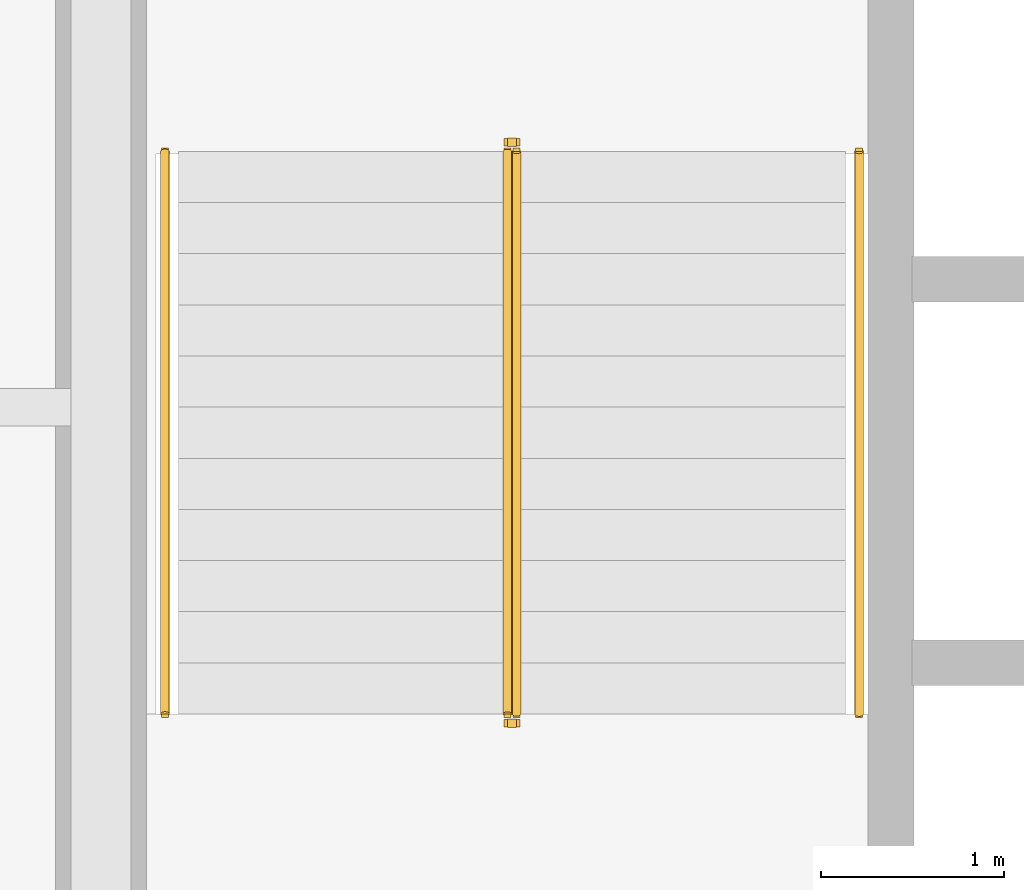
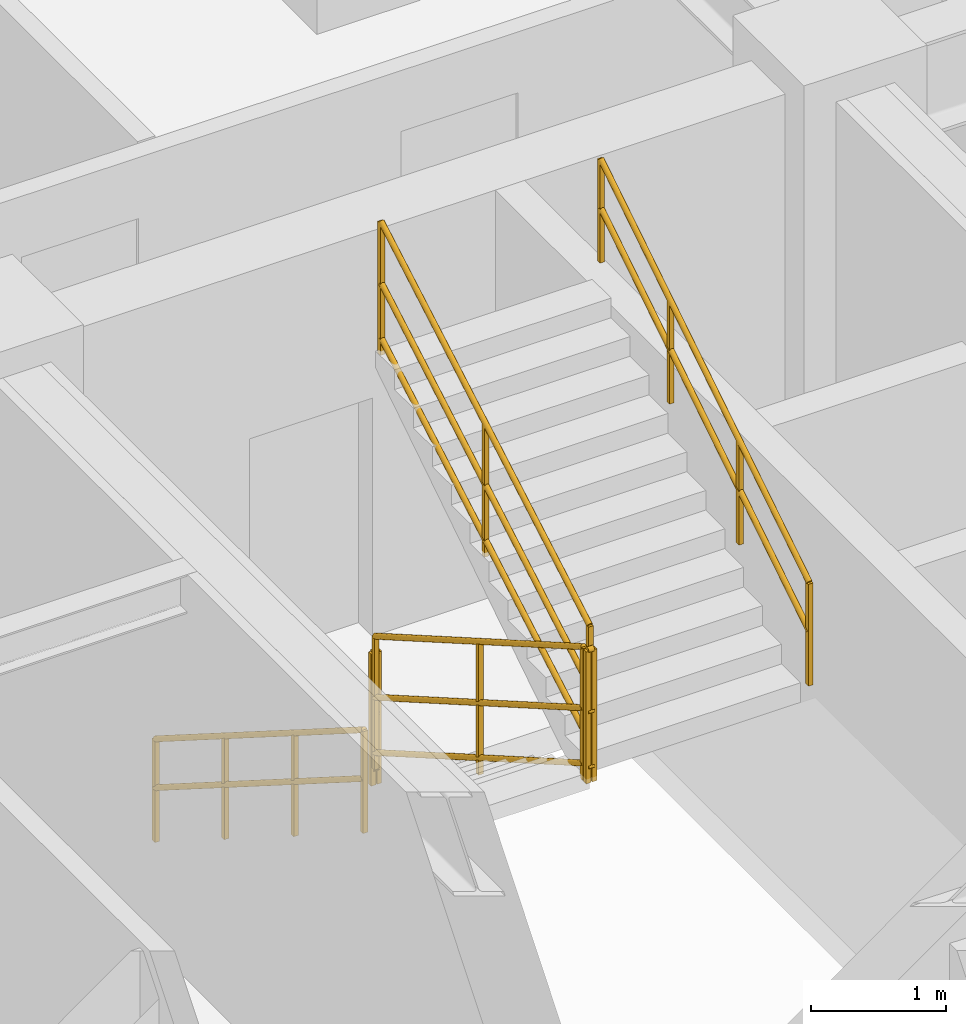
# One storey, part 10 of 10: 6 railings.
"""IFC4 building model written with IfcOpenShell, lengths in metres."""

from ifc_helpers import new_model, entity, si_unit, converted_unit, direction, frame, origin_with_axes, origin_2d_with_axis, place, context, subcontext, project, spatial, rectangle, circle, extrude, material, type_object, element, save


model = new_model("IFC4")

# Units and contexts
model_context = context("Model", 3, precision=1e-05, world=origin_with_axes(), true_north=direction((0.0, 1.0)))
body_context = subcontext(model_context, "Body", "Model", "MODEL_VIEW")
ifc_project = project(units=[si_unit("LENGTHUNIT", "METRE"), si_unit("AREAUNIT", "SQUARE_METRE"), si_unit("VOLUMEUNIT", "CUBIC_METRE"), converted_unit("PLANEANGLEUNIT", "DEGREE", entity("IfcPlaneAngleMeasure", 0.017453292519943295), si_unit("PLANEANGLEUNIT", "RADIAN"), dimensions=[0, 0, 0, 0, 0, 0, 0]), si_unit("MASSUNIT", "GRAM", prefix="KILO"), si_unit("THERMODYNAMICTEMPERATUREUNIT", "KELVIN")], contexts=[model_context])

# Site, building, storey
site_placement = place(None, origin_with_axes())
site = spatial("IfcSite", under=ifc_project, at=site_placement, CompositionType="ELEMENT")
building_placement = place(site_placement, origin_with_axes())
building = spatial("IfcBuilding", under=site, at=building_placement, Name="Varnlund Millrace Tower", CompositionType="ELEMENT")
storey_placement = place(building_placement, frame((0.0, 0.0, 156.3), z_axis=(0.0, 0.0, 1.0), x_axis=(1.0, 0.0, 0.0)))
storey = spatial("IfcBuildingStorey", under=building, at=storey_placement, Name="L38", CompositionType="ELEMENT", Elevation=156.3)

# Railings
ifc_material_1 = material(Name="Painted steel stair well balustrade guard", Category="steel")
railing_type_1 = type_object("IfcRailingType", Name="Type-StairGuard-1150", PredefinedType="GUARDRAIL", material=ifc_material_1)
railing_1_placement = place(storey_placement, frame((0.0, 0.0, -156.3), z_axis=(0.0, 0.0, 1.0), x_axis=(1.0, 0.0, 0.0)))
element("IfcRailing", 1, at=railing_1_placement, inside=storey, type_object=railing_type_1, Name="Type-StairGuard-1150", PredefinedType="GUARDRAIL", context=body_context, shape_type="SweptSolid", body=[
    extrude(circle(Radius=0.024, at=origin_2d_with_axis()), frame((13.625, 35.9, 157.627273), z_axis=(0.0, -0.866696, 0.498836), x_axis=(1.0, 0.0, 0.0)), (0.0, 0.0, 1.0), 3.553725),
    extrude(circle(Radius=0.024, at=origin_2d_with_axis()), frame((13.625, 35.9, 156.577273), z_axis=(0.0, -0.866696, 0.498836), x_axis=(1.0, 0.0, 0.0)), (0.0, 0.0, 1.0), 3.553725),
    extrude(circle(Radius=0.024, at=origin_2d_with_axis()), frame((13.625, 35.9, 157.075273), z_axis=(0.0, -0.866696, 0.498836), x_axis=(1.0, 0.0, 0.0)), (0.0, 0.0, 1.0), 3.553725),
    extrude(rectangle(XDim=0.04, YDim=0.04, at=origin_2d_with_axis()), frame((13.625, 35.9, 156.437273), z_axis=(0.0, 0.0, 1.0), x_axis=(1.0, 0.0, 0.0)), (0.0, 0.0, 1.0), 1.19),
    extrude(rectangle(XDim=0.04, YDim=0.04, at=origin_2d_with_axis()), frame((13.625, 34.36, 157.323636), z_axis=(0.0, 0.0, 1.0), x_axis=(1.0, 0.0, 0.0)), (0.0, 0.0, 1.0), 1.19),
    extrude(rectangle(XDim=0.04, YDim=0.04, at=origin_2d_with_axis()), frame((13.625, 32.82, 158.21), z_axis=(0.0, 0.0, 1.0), x_axis=(1.0, 0.0, 0.0)), (0.0, 0.0, 1.0), 1.19),
])
railing_2_placement = place(storey_placement, frame((0.0, 0.0, -156.3), z_axis=(0.0, 0.0, 1.0), x_axis=(1.0, 0.0, 0.0)))
element("IfcRailing", 2, at=railing_2_placement, inside=storey, type_object=railing_type_1, Name="Type-StairGuard-1150", PredefinedType="GUARDRAIL", context=body_context, shape_type="SweptSolid", body=[
    extrude(circle(Radius=0.024, at=origin_2d_with_axis()), frame((13.675, 32.77, 159.4), z_axis=(-1.0, 0.0, 0.0), x_axis=(0.0, -1.0, 0.0)), (0.0, 0.0, 1.0), 0.05),
    extrude(circle(Radius=0.024, at=origin_2d_with_axis()), frame((13.675, 32.77, 158.35), z_axis=(-1.0, 0.0, 0.0), x_axis=(0.0, -1.0, 0.0)), (0.0, 0.0, 1.0), 0.05),
    extrude(circle(Radius=0.024, at=origin_2d_with_axis()), frame((13.675, 32.77, 158.848), z_axis=(-1.0, 0.0, 0.0), x_axis=(0.0, -1.0, 0.0)), (0.0, 0.0, 1.0), 0.05),
    extrude(rectangle(XDim=0.04, YDim=0.04, at=origin_2d_with_axis()), frame((13.675, 32.77, 158.21), z_axis=(0.0, 0.0, 1.0), x_axis=(1.0, 0.0, 0.0)), (0.0, 0.0, 1.0), 1.19),
    extrude(rectangle(XDim=0.04, YDim=0.04, at=origin_2d_with_axis()), frame((13.625, 32.77, 158.21), z_axis=(0.0, 0.0, 1.0), x_axis=(1.0, 0.0, 0.0)), (0.0, 0.0, 1.0), 1.19),
])
railing_3_placement = place(storey_placement, frame((0.0, 0.0, -156.3), z_axis=(0.0, 0.0, 1.0), x_axis=(1.0, 0.0, 0.0)))
element("IfcRailing", 3, at=railing_3_placement, inside=storey, type_object=railing_type_1, Name="Type-StairGuard-1150", PredefinedType="GUARDRAIL", context=body_context, shape_type="SweptSolid", body=[
    extrude(circle(Radius=0.024, at=origin_2d_with_axis()), frame((13.675, 32.82, 159.577273), z_axis=(0.0, 0.866696, 0.498836), x_axis=(-1.0, 0.0, 0.0)), (0.0, 0.0, 1.0), 3.553725),
    extrude(circle(Radius=0.024, at=origin_2d_with_axis()), frame((13.675, 32.82, 158.527273), z_axis=(0.0, 0.866696, 0.498836), x_axis=(-1.0, 0.0, 0.0)), (0.0, 0.0, 1.0), 3.553725),
    extrude(circle(Radius=0.024, at=origin_2d_with_axis()), frame((13.675, 32.82, 159.025273), z_axis=(0.0, 0.866696, 0.498836), x_axis=(-1.0, 0.0, 0.0)), (0.0, 0.0, 1.0), 3.553725),
    extrude(rectangle(XDim=0.04, YDim=0.04, at=origin_2d_with_axis()), frame((13.675, 32.82, 158.387273), z_axis=(0.0, 0.0, 1.0), x_axis=(1.0, 0.0, 0.0)), (0.0, 0.0, 1.0), 1.19),
    extrude(rectangle(XDim=0.04, YDim=0.04, at=origin_2d_with_axis()), frame((13.675, 34.36, 159.273637), z_axis=(0.0, 0.0, 1.0), x_axis=(1.0, 0.0, 0.0)), (0.0, 0.0, 1.0), 1.19),
    extrude(rectangle(XDim=0.04, YDim=0.04, at=origin_2d_with_axis()), frame((13.675, 35.9, 160.16), z_axis=(0.0, 0.0, 1.0), x_axis=(1.0, 0.0, 0.0)), (0.0, 0.0, 1.0), 1.19),
])
railing_4_placement = place(storey_placement, frame((0.0, 0.0, -156.3), z_axis=(0.0, 0.0, 1.0), x_axis=(1.0, 0.0, 0.0)))
element("IfcRailing", 4, at=railing_4_placement, inside=storey, type_object=railing_type_1, Name="Type-StairGuard-1150", PredefinedType="GUARDRAIL", context=body_context, shape_type="SweptSolid", body=[
    extrude(circle(Radius=0.024, at=origin_2d_with_axis()), frame((13.675, 35.95, 157.45), z_axis=(-1.0, 0.0, 0.0), x_axis=(0.0, -1.0, 0.0)), (0.0, 0.0, 1.0), 0.05),
    extrude(circle(Radius=0.024, at=origin_2d_with_axis()), frame((13.675, 35.95, 156.4), z_axis=(-1.0, 0.0, 0.0), x_axis=(0.0, -1.0, 0.0)), (0.0, 0.0, 1.0), 0.05),
    extrude(circle(Radius=0.024, at=origin_2d_with_axis()), frame((13.675, 35.95, 156.898), z_axis=(-1.0, 0.0, 0.0), x_axis=(0.0, -1.0, 0.0)), (0.0, 0.0, 1.0), 0.05),
    extrude(rectangle(XDim=0.04, YDim=0.04, at=origin_2d_with_axis()), frame((13.675, 35.95, 156.26), z_axis=(0.0, 0.0, 1.0), x_axis=(1.0, 0.0, 0.0)), (0.0, 0.0, 1.0), 1.19),
    extrude(rectangle(XDim=0.04, YDim=0.04, at=origin_2d_with_axis()), frame((13.625, 35.95, 156.26), z_axis=(0.0, 0.0, 1.0), x_axis=(1.0, 0.0, 0.0)), (0.0, 0.0, 1.0), 1.19),
])
ifc_material_2 = material(Name="Brushed architectural bronze stair handrail", Category="aluminium")
railing_type_2 = type_object("IfcRailingType", Name="Type-StairHandrail-900", PredefinedType="HANDRAIL", material=ifc_material_2)
railing_5_placement = place(storey_placement, frame((0.0, 0.0, -156.3), z_axis=(0.0, 0.0, 1.0), x_axis=(1.0, 0.0, 0.0)))
element("IfcRailing", 5, at=railing_5_placement, inside=storey, type_object=railing_type_2, Name="Type-StairHandrail-900", PredefinedType="HANDRAIL", context=body_context, shape_type="SweptSolid", body=[
    extrude(circle(Radius=0.024, at=origin_2d_with_axis()), frame((11.75, 35.9, 157.356995), z_axis=(0.0, -0.844902, 0.534922), x_axis=(1.0, 0.0, 0.0)), (0.0, 0.0, 1.0), 3.645394),
    extrude(circle(Radius=0.024, at=origin_2d_with_axis()), frame((11.75, 35.9, 156.917134), z_axis=(0.0, -0.844902, 0.534922), x_axis=(1.0, 0.0, 0.0)), (0.0, 0.0, 1.0), 3.645394),
    extrude(rectangle(XDim=0.04, YDim=0.04, at=origin_2d_with_axis()), frame((11.75, 35.9, 156.437273), z_axis=(0.0, 0.0, 1.0), x_axis=(1.0, 0.0, 0.0)), (0.0, 0.0, 1.0), 0.919722),
    extrude(rectangle(XDim=0.04, YDim=0.04, at=origin_2d_with_axis()), frame((11.75, 34.873333, 157.087273), z_axis=(0.0, 0.0, 1.0), x_axis=(1.0, 0.0, 0.0)), (0.0, 0.0, 1.0), 0.919722),
    extrude(rectangle(XDim=0.04, YDim=0.04, at=origin_2d_with_axis()), frame((11.75, 33.846667, 157.737273), z_axis=(0.0, 0.0, 1.0), x_axis=(1.0, 0.0, 0.0)), (0.0, 0.0, 1.0), 0.919722),
    extrude(rectangle(XDim=0.04, YDim=0.04, at=origin_2d_with_axis()), frame((11.75, 32.82, 158.387273), z_axis=(0.0, 0.0, 1.0), x_axis=(1.0, 0.0, 0.0)), (0.0, 0.0, 1.0), 0.919722),
])
railing_6_placement = place(storey_placement, frame((0.0, 0.0, -156.3), z_axis=(0.0, 0.0, 1.0), x_axis=(1.0, 0.0, 0.0)))
element("IfcRailing", 6, at=railing_6_placement, inside=storey, type_object=railing_type_2, Name="Type-StairHandrail-900", PredefinedType="HANDRAIL", context=body_context, shape_type="SweptSolid", body=[
    extrude(circle(Radius=0.024, at=origin_2d_with_axis()), frame((15.55, 32.82, 159.306995), z_axis=(0.0, 0.844902, 0.534922), x_axis=(-1.0, 0.0, 0.0)), (0.0, 0.0, 1.0), 3.645394),
    extrude(circle(Radius=0.024, at=origin_2d_with_axis()), frame((15.55, 32.82, 158.867134), z_axis=(0.0, 0.844902, 0.534922), x_axis=(-1.0, 0.0, 0.0)), (0.0, 0.0, 1.0), 3.645394),
    extrude(rectangle(XDim=0.04, YDim=0.04, at=origin_2d_with_axis()), frame((15.55, 32.82, 158.387273), z_axis=(0.0, 0.0, 1.0), x_axis=(1.0, 0.0, 0.0)), (0.0, 0.0, 1.0), 0.919722),
    extrude(rectangle(XDim=0.04, YDim=0.04, at=origin_2d_with_axis()), frame((15.55, 33.846667, 159.037273), z_axis=(0.0, 0.0, 1.0), x_axis=(1.0, 0.0, 0.0)), (0.0, 0.0, 1.0), 0.919722),
    extrude(rectangle(XDim=0.04, YDim=0.04, at=origin_2d_with_axis()), frame((15.55, 34.873333, 159.687273), z_axis=(0.0, 0.0, 1.0), x_axis=(1.0, 0.0, 0.0)), (0.0, 0.0, 1.0), 0.919722),
    extrude(rectangle(XDim=0.04, YDim=0.04, at=origin_2d_with_axis()), frame((15.55, 35.9, 160.337273), z_axis=(0.0, 0.0, 1.0), x_axis=(1.0, 0.0, 0.0)), (0.0, 0.0, 1.0), 0.919722),
])

save(model, "model.ifc")
